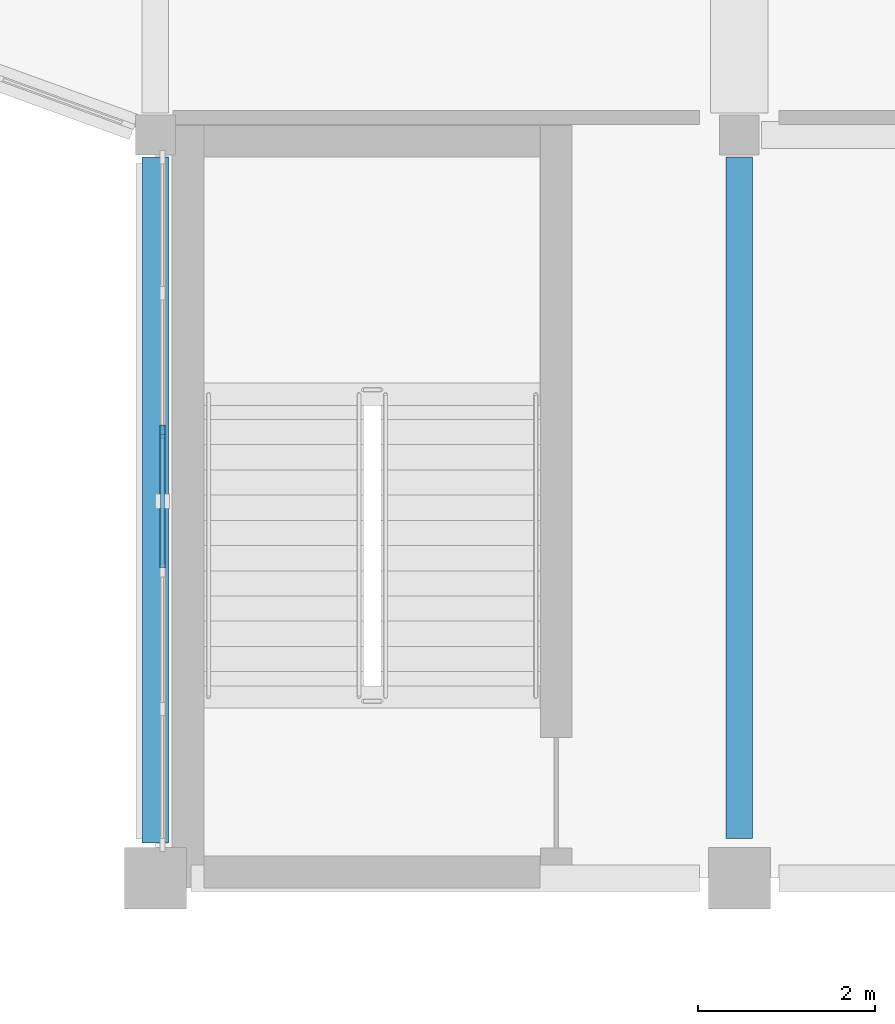
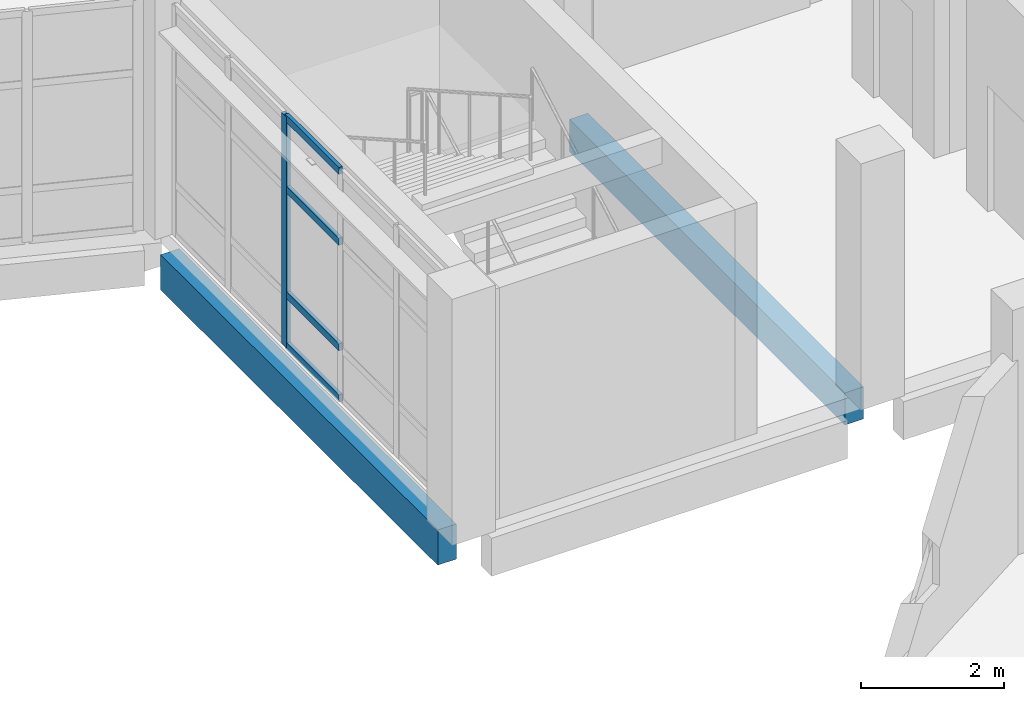
# One storey, part 22 of 74: 5 members, 2 beams, 1 element without a shape of its own.
"""IFC4 building model written with IfcOpenShell, lengths in metres."""

import ifcopenshell
import ifcopenshell.guid

model = None  # the IFC model being written
_history = None  # IfcOwnerHistory: only IFC2X3 demands one
_inside = {}  # id of a spatial element -> (the spatial element, [elements in it])
_under = {}  # id of a project, library or spatial element -> (it, [spatial elements below it])
_declared = {}  # id of a project -> (the project, [libraries it declares])
_typed = {}  # id of a type object -> (the type object, [elements of that type])
_made_of = {}  # id of a material, layer set ... -> (it, [elements and type objects made of it])


def new_model(schema):
    """Start an empty IFC model of exactly this schema.

    Asked for "IFC4X3", IfcOpenShell would pick the latest addendum, in which some entities
    have other attributes; the version numbers below select the first issue.
    IFC2X3 requires an IfcOwnerHistory on every rooted entity: one is made here for all.
    """
    global model, _history
    if schema == "IFC4X3":
        model = ifcopenshell.file(schema_version=(4, 3, 0, 0))
    else:
        model = ifcopenshell.file(schema=schema)
    _inside.clear()
    _under.clear()
    _declared.clear()
    _typed.clear()
    _made_of.clear()
    _history = None
    if model.schema == "IFC2X3":
        org = make("IfcOrganization", Name="unknown")
        user = make(
            "IfcPersonAndOrganization",
            ThePerson=make("IfcPerson", FamilyName="unknown"),
            TheOrganization=org,
        )
        app = make(
            "IfcApplication",
            ApplicationDeveloper=org,
            Version="unknown",
            ApplicationFullName="unknown",
            ApplicationIdentifier="unknown",
        )
        _history = make(
            "IfcOwnerHistory",
            OwningUser=user,
            OwningApplication=app,
            ChangeAction="ADDED",
            CreationDate=0,
        )
    return model


def make(cls, **values):
    """One entity of the class cls with the attributes given. An attribute that is None is left unset."""
    return model.create_entity(
        cls, **{name: value for name, value in values.items() if value is not None}
    )


def rooted(cls, **values):
    """An entity with a GlobalId (a new one), such as an element, a storey or a relation."""
    return make(cls, GlobalId=ifcopenshell.guid.new(), OwnerHistory=_history, **values)


def si_unit(unit_type, name, prefix=None):
    """IfcSIUnit, for example si_unit("LENGTHUNIT", "METRE", prefix="MILLI")."""
    return make("IfcSIUnit", UnitType=unit_type, Prefix=prefix, Name=name)


def assignment(units):
    """IfcUnitAssignment: the units of a project."""
    return None if units is None else make("IfcUnitAssignment", Units=units)


def point(xyz):
    """IfcCartesianPoint."""
    return None if xyz is None else make("IfcCartesianPoint", Coordinates=xyz)


def direction(xyz):
    """IfcDirection."""
    return None if xyz is None else make("IfcDirection", DirectionRatios=xyz)


def frame(location, z_axis=None, x_axis=None):
    """IfcAxis2Placement3D, a coordinate frame: its origin and axes. An axis left out is left unset."""
    return make(
        "IfcAxis2Placement3D",
        Location=point(location),
        Axis=direction(z_axis),
        RefDirection=direction(x_axis),
    )


def frame_2d(location, x_axis=None):
    """IfcAxis2Placement2D, a coordinate frame in the plane: its origin and x axis."""
    return make(
        "IfcAxis2Placement2D", Location=point(location), RefDirection=direction(x_axis)
    )


def origin():
    """The frame at (0, 0, 0) with its axes left unset."""
    return frame((0.0, 0.0, 0.0))


def origin_2d():
    """The frame at (0, 0) in the plane with its x axis left unset."""
    return frame_2d((0.0, 0.0))


def place(relative_to, where):
    """IfcLocalPlacement: puts the frame where relative to a parent placement (None: the world)."""
    return make(
        "IfcLocalPlacement", PlacementRelTo=relative_to, RelativePlacement=where
    )


def context(
    kind, dimensions, precision=None, world=None, true_north=None, identifier=None
):
    """IfcGeometricRepresentationContext, for example the 3D "Model" context."""
    return make(
        "IfcGeometricRepresentationContext",
        ContextIdentifier=identifier,
        ContextType=kind,
        CoordinateSpaceDimension=dimensions,
        Precision=precision,
        WorldCoordinateSystem=world,
        TrueNorth=true_north,
    )


def subcontext(parent, identifier, kind, view, scale=None):
    """IfcGeometricRepresentationSubContext, for example "Body" below "Model"."""
    return make(
        "IfcGeometricRepresentationSubContext",
        ContextIdentifier=identifier,
        ContextType=kind,
        ParentContext=parent,
        TargetScale=scale,
        TargetView=view,
    )


def project(units=None, contexts=None):
    """IfcProject with its units and contexts."""
    return rooted(
        "IfcProject",
        Name="project",
        RepresentationContexts=contexts,
        UnitsInContext=assignment(units),
    )


def spatial(cls, under=None, at=None, **own):
    """A site, building, storey or space (cls), placed at a placement, below another one or the project."""
    s = rooted(cls, ObjectPlacement=at, **own)
    if under is not None:
        _under.setdefault(under.id(), (under, []))[1].append(s)
    return s


def profile(cls, at=None, kind="AREA", **sizes):
    """A parametric profile (cls). Its sizes go by their IFC names, for example OverallWidth=200.0."""
    return make(cls, ProfileType=kind, Position=at, **sizes)


def rectangle(**sizes):
    """IfcRectangleProfileDef."""
    return profile("IfcRectangleProfileDef", **sizes)


def extrude(swept, where, along, depth):
    """IfcExtrudedAreaSolid: the profile swept, set in the frame where, extruded along a direction by depth."""
    return make(
        "IfcExtrudedAreaSolid",
        SweptArea=swept,
        Position=where,
        ExtrudedDirection=direction(along),
        Depth=depth,
    )


def shape(context_of_items, identifier, shape_type, items):
    """IfcShapeRepresentation: the items that make up one representation, for example the "Body"."""
    return make(
        "IfcShapeRepresentation",
        ContextOfItems=context_of_items,
        RepresentationIdentifier=identifier,
        RepresentationType=shape_type,
        Items=items,
    )


def material(Name=None, Category=None):
    """IfcMaterial."""
    return make("IfcMaterial", Name=Name, Category=Category)


def material_profile(
    of_material, cross_section, Name=None, Category=None, Priority=None
):
    """IfcMaterialProfile: a cross section and its material."""
    return make(
        "IfcMaterialProfile",
        Name=Name,
        Material=of_material,
        Profile=cross_section,
        Priority=Priority,
        Category=Category,
    )


def profile_set(profiles, Name=None, composite=None):
    """IfcMaterialProfileSet."""
    return make(
        "IfcMaterialProfileSet",
        Name=Name,
        MaterialProfiles=profiles,
        CompositeProfile=composite,
    )


def made_of(thing, what):
    """Note that an element or type object is made of a material, layer set ...; save() writes the relation."""
    if what is not None:
        _made_of.setdefault(what.id(), (what, []))[1].append(thing)
    return thing


def type_object(cls, material=None, **own):
    """A type object (cls), such as IfcWallType, which elements share."""
    return made_of(rooted(cls, **own), material)


def element(
    cls,
    number,
    at=None,
    inside=None,
    cuts=None,
    type_object=None,
    material=None,
    context=None,
    identifier="Body",
    shape_type=None,
    held_by="IfcProductDefinitionShape",
    body=None,
    shapes=None,
    **own,
):
    """One element of the class cls, such as IfcWall. Its Tag is "e" and its number.

    at: its placement. inside: the storey or other place that contains it. cuts: it is an
    opening in that element (IfcRelVoidsElement). A single representation is given by context,
    identifier, shape_type and body (its items); several are given by shapes. held_by: the class
    of the entity that holds the representations. save() writes the other relations.
    """
    e = rooted(cls, Tag="e%d" % number, ObjectPlacement=at, **own)
    if body is not None:
        shapes = [shape(context, identifier, shape_type, body)]
    if shapes is not None:
        e.Representation = make(held_by, Representations=shapes)
    if inside is not None:
        _inside.setdefault(inside.id(), (inside, []))[1].append(e)
    if cuts is not None:
        rooted(
            "IfcRelVoidsElement", RelatingBuildingElement=cuts, RelatedOpeningElement=e
        )
    if type_object is not None:
        _typed.setdefault(type_object.id(), (type_object, []))[1].append(e)
    return made_of(e, material)


def aggregate(whole, parts):
    """IfcRelAggregates: a whole, such as a stair, and the parts it consists of."""
    return rooted("IfcRelAggregates", RelatingObject=whole, RelatedObjects=parts)


def save(model, path):
    """Write the relations noted so far, then the file.

    IfcRelAggregates (storeys below a building ...), IfcRelContainedInSpatialStructure (elements
    in a storey), IfcRelDefinesByType, IfcRelAssociatesMaterial and IfcRelDeclares: one each for
    every whole, place, type object, material and project.
    """
    for whole, parts in _under.values():
        aggregate(whole, parts)
    for where, things in _inside.values():
        rooted(
            "IfcRelContainedInSpatialStructure",
            RelatedElements=things,
            RelatingStructure=where,
        )
    for kind, things in _typed.values():
        rooted("IfcRelDefinesByType", RelatedObjects=things, RelatingType=kind)
    for what, things in _made_of.values():
        rooted("IfcRelAssociatesMaterial", RelatedObjects=things, RelatingMaterial=what)
    for by, libraries in _declared.values():
        rooted("IfcRelDeclares", RelatingContext=by, RelatedDefinitions=libraries)
    model.write(path)


model = new_model("IFC4")

# Units and contexts
model_context = context("Model", 3, precision=1e-05, world=origin(), true_north=direction((0.0, 1.0)))
body_context = subcontext(model_context, "Body", "Model", "MODEL_VIEW")
ifc_project = project(units=[si_unit("LENGTHUNIT", "METRE"), si_unit("AREAUNIT", "SQUARE_METRE"), si_unit("VOLUMEUNIT", "CUBIC_METRE"), si_unit("PLANEANGLEUNIT", "RADIAN"), si_unit("MASSUNIT", "GRAM", prefix="KILO")], contexts=[model_context])

# Site, building, storey
site_placement = place(None, origin())
site = spatial("IfcSite", under=ifc_project, at=site_placement, CompositionType="ELEMENT")
building_placement = place(site_placement, origin())
building = spatial("IfcBuilding", under=site, at=building_placement, Name="Qaldarim Faculty of Natural and Applied Sciences", CompositionType="ELEMENT")
storey_placement = place(building_placement, frame((0.0, 0.0, 14.39990234375)))
storey = spatial("IfcBuildingStorey", under=building, at=storey_placement, Name="L03", CompositionType="ELEMENT", Elevation=14.39990234375)

# Beam
ifc_material_1 = material(Name="Concrete C40/50", Category="concrete")
ifc_material_profile_1 = material_profile(ifc_material_1, rectangle(XDim=0.300048828125, YDim=0.550048828125, at=origin_2d()), Name="RC-B300x550")
ifc_profile_set_1 = profile_set([ifc_material_profile_1], Name="Concrete C40/50")
beam_type_1 = type_object("IfcBeamType", Name="FloorBeam-RC300x550", PredefinedType="BEAM", material=ifc_profile_set_1)
beam_1_placement = place(storey_placement, frame((158.39990234375, 59.25, -0.534912109375), z_axis=(0.0, 1.0, 0.0), x_axis=(-1.0, 0.0, 0.0)))
element("IfcBeam", 1, at=beam_1_placement, inside=storey, type_object=beam_type_1, Name="Beam RC-B300x550 L02 X25/Y08-Y09", PredefinedType="BEAM", context=body_context, shape_type="SweptSolid", body=[
    extrude(rectangle(XDim=0.300048828125, YDim=0.550048828125, at=origin_2d()), origin(), (0.0, 0.0, 1.0), 7.699951171875),
])

# Curtain wall, member
ifc_material_2 = material(Name="Anodised aluminium AW-6063", Category="aluminium")
curtain_wall_type = type_object("IfcCurtainWallType", Name="CurtainWallSystem-M1600", PredefinedType="USERDEFINED", material=ifc_material_2)
curtain_wall_placement = place(storey_placement, origin())
curtain_wall = element("IfcCurtainWall", 2, at=curtain_wall_placement, inside=storey, type_object=curtain_wall_type, Name="Curtain wall CW-L03-W-X24Y08", ObjectType="UNITISED FACADE", PredefinedType="USERDEFINED")
ifc_material_profile_2 = material_profile(ifc_material_2, rectangle(XDim=0.06005859375, YDim=0.14990234375, at=origin_2d()), Name="ALU-M60x150")
ifc_profile_set_2 = profile_set([ifc_material_profile_2], Name="Anodised aluminium AW-6063")
member_type_1 = type_object("IfcMemberType", Name="Mullion-ALU60x150", PredefinedType="MULLION", material=ifc_profile_set_2)
member_1_placement = place(storey_placement, frame((151.8798828125, 63.845947265625, 0.0), z_axis=(0.0, 0.0, 1.0), x_axis=(1.0, 0.0, 0.0)))
member_1 = element("IfcMember", 3, at=member_1_placement, type_object=member_type_1, Name="Mullion 3 of CW-L03-W-X24Y08", PredefinedType="MULLION", context=body_context, shape_type="SweptSolid", body=[
    extrude(rectangle(XDim=0.06005859375, YDim=0.14990234375, at=origin_2d()), origin(), (0.0, 0.0, 1.0), 3.940185546875),
])

# Beam
ifc_material_3 = material(Name="Precast concrete C40/50", Category="concrete")
ifc_material_profile_3 = material_profile(ifc_material_3, rectangle(XDim=0.300048828125, YDim=0.60009765625, at=origin_2d()), Name="RC-SP300x600")
ifc_profile_set_3 = profile_set([ifc_material_profile_3], Name="Precast concrete C40/50")
beam_type_2 = type_object("IfcBeamType", Name="SpandrelBeam-RC300x600", PredefinedType="SPANDREL", material=ifc_profile_set_3)
beam_2_placement = place(storey_placement, frame((151.800048828125, 59.199951171875, -0.559814453125), z_axis=(0.0, 1.0, 0.0), x_axis=(-1.0, 0.0, 0.0)))
element("IfcBeam", 4, at=beam_2_placement, inside=storey, type_object=beam_type_2, Name="Beam RC-SP300x600 L02 X24/Y08-Y09", PredefinedType="SPANDREL", context=body_context, shape_type="SweptSolid", body=[
    extrude(rectangle(XDim=0.300048828125, YDim=0.60009765625, at=origin_2d()), origin(), (0.0, 0.0, 1.0), 7.75),
])

# Member
ifc_material_profile_4 = material_profile(ifc_material_2, rectangle(XDim=0.06005859375, YDim=0.1201171875, at=origin_2d()), Name="ALU-T60x120")
ifc_profile_set_4 = profile_set([ifc_material_profile_4], Name="Anodised aluminium AW-6063")
member_type_2 = type_object("IfcMemberType", Name="Transom-ALU60x120", PredefinedType="USERDEFINED", material=ifc_profile_set_4)
member_2_placement = place(storey_placement, frame((151.8798828125, 63.81591796875, 0.030029296875), z_axis=(0.0, -1.0, 0.0), x_axis=(1.0, 0.0, 0.0)))
member_2 = element("IfcMember", 5, at=member_2_placement, type_object=member_type_2, Name="Transom 3-1 of CW-L03-W-X24Y08", ObjectType="TRANSOM", PredefinedType="USERDEFINED", context=body_context, shape_type="SweptSolid", body=[
    extrude(rectangle(XDim=0.06005859375, YDim=0.1201171875, at=origin_2d()), origin(), (0.0, 0.0, 1.0), 1.5068359375),
])

member_3_placement = place(storey_placement, frame((151.8798828125, 63.81591796875, 0.900146484375), z_axis=(0.0, -1.0, 0.0), x_axis=(1.0, 0.0, 0.0)))
member_3 = element("IfcMember", 6, at=member_3_placement, type_object=member_type_2, Name="Transom 3-2 of CW-L03-W-X24Y08", ObjectType="TRANSOM", PredefinedType="USERDEFINED", context=body_context, shape_type="SweptSolid", body=[
    extrude(rectangle(XDim=0.06005859375, YDim=0.1201171875, at=origin_2d()), origin(), (0.0, 0.0, 1.0), 1.5068359375),
])

member_4_placement = place(storey_placement, frame((151.8798828125, 63.81591796875, 2.7001953125), z_axis=(0.0, -1.0, 0.0), x_axis=(1.0, 0.0, 0.0)))
member_4 = element("IfcMember", 7, at=member_4_placement, type_object=member_type_2, Name="Transom 3-3 of CW-L03-W-X24Y08", ObjectType="TRANSOM", PredefinedType="USERDEFINED", context=body_context, shape_type="SweptSolid", body=[
    extrude(rectangle(XDim=0.06005859375, YDim=0.1201171875, at=origin_2d()), origin(), (0.0, 0.0, 1.0), 1.5068359375),
])

member_5_placement = place(storey_placement, frame((151.8798828125, 63.81591796875, 3.91015625), z_axis=(0.0, -1.0, 0.0), x_axis=(1.0, 0.0, 0.0)))
member_5 = element("IfcMember", 8, at=member_5_placement, type_object=member_type_2, Name="Transom 3-4 of CW-L03-W-X24Y08", ObjectType="TRANSOM", PredefinedType="USERDEFINED", context=body_context, shape_type="SweptSolid", body=[
    extrude(rectangle(XDim=0.06005859375, YDim=0.1201171875, at=origin_2d()), origin(), (0.0, 0.0, 1.0), 1.5068359375),
])

aggregate(curtain_wall, [member_1, member_2, member_3, member_4, member_5])

save(model, "model.ifc")
